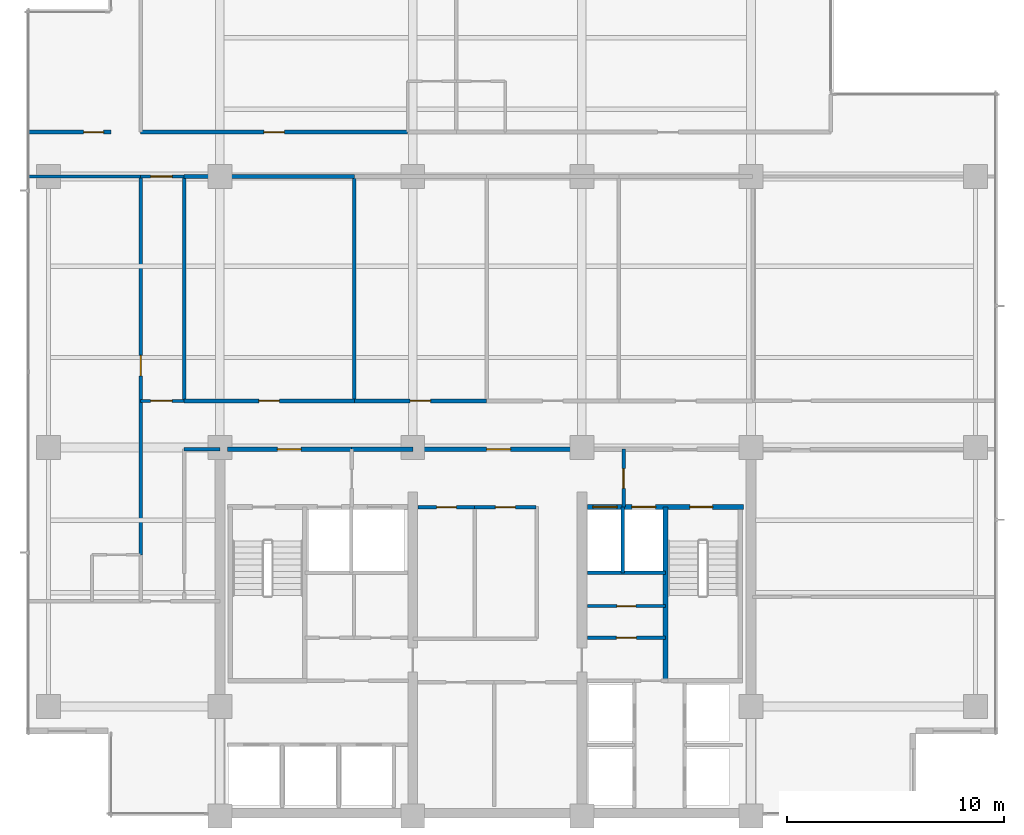
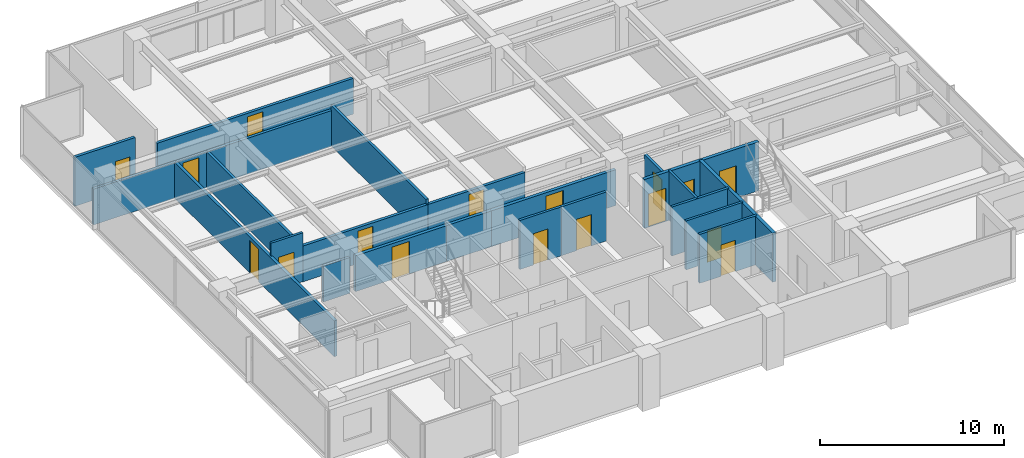
# One storey, part 8 of 14: 24 walls, 17 doors, 17 openings.
"""IFC4 building model written with IfcOpenShell, lengths in metres."""

from ifc_helpers import new_model, si_unit, direction, frame, frame_2d, origin, place, context, subcontext, project, spatial, rectangle, extrude, material, layer, layer_set, type_object, element, fill, save


model = new_model("IFC4")

# Units and contexts
model_context = context("Model", 3, precision=1e-05, world=origin(), true_north=direction((0.0, 1.0)))
body_context = subcontext(model_context, "Body", "Model", "MODEL_VIEW")
ifc_project = project(units=[si_unit("LENGTHUNIT", "METRE"), si_unit("AREAUNIT", "SQUARE_METRE"), si_unit("VOLUMEUNIT", "CUBIC_METRE"), si_unit("PLANEANGLEUNIT", "RADIAN"), si_unit("MASSUNIT", "GRAM", prefix="KILO")], contexts=[model_context])

# Site, building, storey
site_placement = place(None, origin())
site = spatial("IfcSite", under=ifc_project, at=site_placement, CompositionType="ELEMENT")
building_placement = place(site_placement, origin())
building = spatial("IfcBuilding", under=site, at=building_placement, Name="Qalmaran Belvedere Hotel", CompositionType="ELEMENT")
storey_placement = place(building_placement, frame((0.0, 0.0, 177.10009765625)))
storey = spatial("IfcBuildingStorey", under=building, at=storey_placement, Name="L45", CompositionType="ELEMENT", Elevation=177.10009765625)

# Wall
ifc_material_1 = material(Name="Gypsum Stud Partition")
ifc_layer_1 = layer(ifc_material_1, 0.14990234375, Name="Gypsum Stud Partition")
ifc_layer_set_1 = layer_set([ifc_layer_1], Name="Gypsum Stud Partition")
wall_type_1 = type_object("IfcWallType", Name="WL-INT-150-EI120", PredefinedType="PARTITIONING", material=ifc_layer_set_1)
wall_1_placement = place(storey_placement, frame((38.8798828125, 14.719970703125, 0.0), z_axis=(0.0, 0.0, 1.0), x_axis=(0.0, 1.0, 0.0)))
element("IfcWall", 1, at=wall_1_placement, inside=storey, type_object=wall_type_1, Name="L45 Partition WL-FF2M-L45", PredefinedType="PARTITIONING", context=body_context, shape_type="SweptSolid", body=[
    extrude(rectangle(XDim=3.0400390625, YDim=0.14990234375, at=frame_2d((1.52001953125, 0.0))), origin(), (0.0, 0.0, 1.0), 3.25),
])

# Wall, opening, door
ifc_layer_2 = layer(ifc_material_1, 0.14990234375, Name="Gypsum Stud Partition")
ifc_layer_set_2 = layer_set([ifc_layer_2], Name="Gypsum Stud Partition")
wall_type_2 = type_object("IfcWallType", Name="WL-INT-150-EI60", PredefinedType="PARTITIONING", material=ifc_layer_set_2)
wall_2_placement = place(storey_placement, frame((37.25, 13.18505859375, 0.0), z_axis=(0.0, 0.0, 1.0), x_axis=(1.0, 0.0, 0.0)))
wall_2 = element("IfcWall", 2, at=wall_2_placement, inside=storey, type_object=wall_type_2, Name="L45 Partition WL-L45-KEHM", PredefinedType="PARTITIONING", context=body_context, shape_type="SweptSolid", body=[
    extrude(rectangle(XDim=3.610107421875, YDim=0.14990234375, at=frame_2d((1.80517578125, 0.0))), origin(), (0.0, 0.0, 1.0), 3.25),
])
opening_1_placement = place(wall_2_placement, frame((1.364990234375, 0.0, 0.0)))
opening_1 = element("IfcOpeningElement", 3, at=opening_1_placement, cuts=wall_2, Name="Opening FD60B", PredefinedType="OPENING", context=body_context, shape_type="SweptSolid", body=[
    extrude(rectangle(XDim=0.8798828125, YDim=2.080078125, at=frame_2d((0.43994140625, 1.0400390625))), frame((0.0, 0.0849609375, 0.0), z_axis=(0.0, -1.0, 0.0), x_axis=(1.0, 0.0, 0.0)), (0.0, 0.0, 1.0), 0.169921875),
])
ifc_material_2 = material(Name="Steel S355JR", Category="steel")
door_type_1 = type_object("IfcDoorType", Name="DR-FD60B-880X2080", OperationType="NOTDEFINED", PredefinedType="DOOR", material=ifc_material_2)
door_1_placement = place(opening_1_placement, origin())
door_1 = element("IfcDoor", 4, at=door_1_placement, inside=storey, type_object=door_type_1, Name="L45 Hotel Linen Closet Door", OperationType="SINGLE_SWING_RIGHT", OverallHeight=2.080078125, OverallWidth=0.8798828125, PredefinedType="DOOR", context=body_context, shape_type="SweptSolid", body=[
    extrude(rectangle(XDim=0.8798828125, YDim=2.080078125, at=frame_2d((0.43994140625, 1.0400390625))), frame((0.0, 0.02490234375, 0.0), z_axis=(0.0, -1.0, 0.0), x_axis=(1.0, 0.0, 0.0)), (0.0, 0.0, 1.0), 0.050048828125),
])
fill(opening_1, door_1)

wall_3_placement = place(storey_placement, frame((16.64990234375, 22.64990234375, 0.0), z_axis=(0.0, 0.0, 1.0), x_axis=(1.0, 0.0, 0.0)))
wall_3 = element("IfcWall", 5, at=wall_3_placement, inside=storey, type_object=wall_type_2, Name="L45 Partition WL-L45-XCW1", PredefinedType="PARTITIONING", context=body_context, shape_type="SweptSolid", body=[
    extrude(rectangle(XDim=2.0, YDim=0.14990234375, at=frame_2d((1.0, 0.0))), origin(), (0.0, 0.0, 1.0), 3.25),
])
opening_2_placement = place(wall_3_placement, frame((0.449951171875, 0.0, 0.0)))
opening_2 = element("IfcOpeningElement", 6, at=opening_2_placement, cuts=wall_3, Name="Opening FD90B", PredefinedType="OPENING", context=body_context, shape_type="SweptSolid", body=[
    extrude(rectangle(XDim=1.0, YDim=2.14990234375, at=frame_2d((0.5, 1.074951171875))), frame((0.0, 0.0849609375, 0.0), z_axis=(0.0, -1.0, 0.0), x_axis=(1.0, 0.0, 0.0)), (0.0, 0.0, 1.0), 0.169921875),
])
door_type_2 = type_object("IfcDoorType", Name="DR-FD90B-1000X2150", OperationType="NOTDEFINED", PredefinedType="DOOR", material=ifc_material_2)
door_2_placement = place(opening_2_placement, origin())
door_2 = element("IfcDoor", 7, at=door_2_placement, inside=storey, type_object=door_type_2, Name="L45 West Corridor Smoke Door S", OperationType="SINGLE_SWING_RIGHT", OverallHeight=2.14990234375, OverallWidth=1.0, PredefinedType="DOOR", context=body_context, shape_type="SweptSolid", body=[
    extrude(rectangle(XDim=1.0, YDim=2.14990234375, at=frame_2d((0.5, 1.074951171875))), frame((0.0, 0.02490234375, 0.0), z_axis=(0.0, -1.0, 0.0), x_axis=(1.0, 0.0, 0.0)), (0.0, 0.0, 1.0), 0.050048828125),
])
fill(opening_2, door_2)

wall_4_placement = place(storey_placement, frame((16.64990234375, 33.0, 0.0), z_axis=(0.0, 0.0, 1.0), x_axis=(1.0, 0.0, 0.0)))
wall_4 = element("IfcWall", 8, at=wall_4_placement, inside=storey, type_object=wall_type_2, Name="L45 Partition WL-L45-XCW2", PredefinedType="PARTITIONING", context=body_context, shape_type="SweptSolid", body=[
    extrude(rectangle(XDim=2.0, YDim=0.14990234375, at=frame_2d((1.0, 0.0))), origin(), (0.0, 0.0, 1.0), 2.3798828125),
])
opening_3_placement = place(wall_4_placement, frame((0.449951171875, 0.0, 0.0)))
opening_3 = element("IfcOpeningElement", 9, at=opening_3_placement, cuts=wall_4, Name="Opening FD90B", PredefinedType="OPENING", context=body_context, shape_type="SweptSolid", body=[
    extrude(rectangle(XDim=1.0, YDim=2.14990234375, at=frame_2d((0.5, 1.074951171875))), frame((0.0, 0.0849609375, 0.0), z_axis=(0.0, -1.0, 0.0), x_axis=(1.0, 0.0, 0.0)), (0.0, 0.0, 1.0), 0.169921875),
])
door_3_placement = place(opening_3_placement, origin())
door_3 = element("IfcDoor", 10, at=door_3_placement, inside=storey, type_object=door_type_2, Name="L45 West Corridor Smoke Door N", OperationType="SINGLE_SWING_LEFT", OverallHeight=2.14990234375, OverallWidth=1.0, PredefinedType="DOOR", context=body_context, shape_type="SweptSolid", body=[
    extrude(rectangle(XDim=1.0, YDim=2.14990234375, at=frame_2d((0.5, 1.074951171875))), frame((0.0, 0.02490234375, 0.0), z_axis=(0.0, -1.0, 0.0), x_axis=(1.0, 0.0, 0.0)), (0.0, 0.0, 1.0), 0.050048828125),
])
fill(opening_3, door_3)

ifc_layer_3 = layer(ifc_material_1, 0.159912109375, Name="Gypsum Stud Partition")
ifc_layer_set_3 = layer_set([ifc_layer_3], Name="Gypsum Stud Partition")
wall_type_3 = type_object("IfcWallType", Name="WL-INT-160-EI120", PredefinedType="PARTITIONING", material=ifc_layer_set_3)
wall_5_placement = place(storey_placement, frame((38.919921875, 17.760009765625, 0.0), z_axis=(0.0, 0.0, 1.0), x_axis=(0.0, 1.0, 0.0)))
wall_5 = element("IfcWall", 11, at=wall_5_placement, inside=storey, type_object=wall_type_3, Name="L45 Partition WL-FFSV2-L45", PredefinedType="PARTITIONING", context=body_context, shape_type="SweptSolid", body=[
    extrude(rectangle(XDim=2.659912109375, YDim=0.159912109375, at=frame_2d((1.330078125, 0.0))), origin(), (0.0, 0.0, 1.0), 2.69189453125),
])
opening_4_placement = place(wall_5_placement, frame((1.77001953125, 0.0, 0.0), z_axis=(0.0, 0.0, 1.0), x_axis=(-1.0, 0.0, 0.0)))
opening_4 = element("IfcOpeningElement", 12, at=opening_4_placement, cuts=wall_5, Name="Opening FD60S1", PredefinedType="OPENING", context=body_context, shape_type="SweptSolid", body=[
    extrude(rectangle(XDim=0.919921875, YDim=2.080078125, at=frame_2d((0.4599609375, 1.0400390625))), frame((0.0, 0.08984375, 0.0), z_axis=(0.0, -1.0, 0.0), x_axis=(1.0, 0.0, 0.0)), (0.0, 0.0, 1.0), 0.179931640625),
])
ifc_material_3 = material(Name="Engineered Oak Veneer")
door_type_3 = type_object("IfcDoorType", Name="DR-FD60S-920X2080", OperationType="NOTDEFINED", PredefinedType="DOOR", material=ifc_material_3)
door_4_placement = place(opening_4_placement, origin())
door_4 = element("IfcDoor", 13, at=door_4_placement, inside=storey, type_object=door_type_3, Name="L45 Service Lobby East Door", OperationType="SINGLE_SWING_LEFT", OverallHeight=2.080078125, OverallWidth=0.919921875, PredefinedType="DOOR", context=body_context, shape_type="SweptSolid", body=[
    extrude(rectangle(XDim=0.919921875, YDim=2.080078125, at=frame_2d((0.4599609375, 1.0400390625))), frame((0.0, 0.02490234375, 0.0), z_axis=(0.0, -1.0, 0.0), x_axis=(1.0, 0.0, 0.0)), (0.0, 0.0, 1.0), 0.050048828125),
])
fill(opening_4, door_4)

# Wall
wall_6_placement = place(storey_placement, frame((37.25, 14.719970703125, 0.0), z_axis=(0.0, 0.0, 1.0), x_axis=(1.0, 0.0, 0.0)))
element("IfcWall", 14, at=wall_6_placement, inside=storey, type_object=wall_type_3, Name="L45 Partition WL-FF2S-L45", PredefinedType="PARTITIONING", context=body_context, shape_type="SweptSolid", body=[
    extrude(rectangle(XDim=3.610107421875, YDim=0.159912109375, at=frame_2d((1.80517578125, 0.0))), origin(), (0.0, 0.0, 1.0), 3.25),
])

# Wall, opening, door
ifc_layer_4 = layer(ifc_material_1, 0.159912109375, Name="Gypsum Stud Partition")
ifc_layer_set_4 = layer_set([ifc_layer_4], Name="Gypsum Stud Partition")
wall_type_4 = type_object("IfcWallType", Name="WL-INT-160-EI60", PredefinedType="PARTITIONING", material=ifc_layer_set_4)
wall_7_placement = place(storey_placement, frame((37.25, 11.719970703125, 0.0), z_axis=(0.0, 0.0, 1.0), x_axis=(1.0, 0.0, 0.0)))
wall_7 = element("IfcWall", 15, at=wall_7_placement, inside=storey, type_object=wall_type_4, Name="L45 Partition WL-L45-KEE1", PredefinedType="PARTITIONING", context=body_context, shape_type="SweptSolid", body=[
    extrude(rectangle(XDim=3.610107421875, YDim=0.159912109375, at=frame_2d((1.80517578125, 0.0))), origin(), (0.0, 0.0, 1.0), 3.25),
])
opening_5_placement = place(wall_7_placement, frame((1.344970703125, 0.0, 0.0)))
opening_5 = element("IfcOpeningElement", 16, at=opening_5_placement, cuts=wall_7, Name="Opening FD60S1", PredefinedType="OPENING", context=body_context, shape_type="SweptSolid", body=[
    extrude(rectangle(XDim=0.919921875, YDim=2.080078125, at=frame_2d((0.4599609375, 1.0400390625))), frame((0.0, 0.08984375, 0.0), z_axis=(0.0, -1.0, 0.0), x_axis=(1.0, 0.0, 0.0)), (0.0, 0.0, 1.0), 0.179931640625),
])
door_5_placement = place(opening_5_placement, origin())
door_5 = element("IfcDoor", 17, at=door_5_placement, inside=storey, type_object=door_type_3, Name="L45 Low Voltage Switch Room Door", OperationType="SINGLE_SWING_LEFT", OverallHeight=2.080078125, OverallWidth=0.919921875, PredefinedType="DOOR", context=body_context, shape_type="SweptSolid", body=[
    extrude(rectangle(XDim=0.919921875, YDim=2.080078125, at=frame_2d((0.4599609375, 1.0400390625))), frame((0.0, 0.02490234375, 0.0), z_axis=(0.0, -1.0, 0.0), x_axis=(1.0, 0.0, 0.0)), (0.0, 0.0, 1.0), 0.050048828125),
])
fill(opening_5, door_5)

wall_8_placement = place(storey_placement, frame((29.449951171875, 17.75, 0.0), z_axis=(0.0, 0.0, 1.0), x_axis=(1.0, 0.0, 0.0)))
wall_8 = element("IfcWall", 18, at=wall_8_placement, inside=storey, type_object=wall_type_4, Name="L45 Partition WL-L45-KPME1", PredefinedType="PARTITIONING", context=body_context, shape_type="SweptSolid", body=[
    extrude(rectangle(XDim=2.6064453125, YDim=0.159912109375, at=frame_2d((1.30322265625, 0.0))), origin(), (0.0, 0.0, 1.0), 3.25),
])
opening_6_placement = place(wall_8_placement, frame((1.76318359375, 0.0, 0.0), z_axis=(0.0, 0.0, 1.0), x_axis=(-1.0, 0.0, 0.0)))
opening_6 = element("IfcOpeningElement", 19, at=opening_6_placement, cuts=wall_8, Name="Opening FD60S1", PredefinedType="OPENING", context=body_context, shape_type="SweptSolid", body=[
    extrude(rectangle(XDim=0.919921875, YDim=2.080078125, at=frame_2d((0.4599609375, 1.0400390625))), frame((0.0, 0.08984375, 0.0), z_axis=(0.0, -1.0, 0.0), x_axis=(1.0, 0.0, 0.0)), (0.0, 0.0, 1.0), 0.179931640625),
])
door_6_placement = place(opening_6_placement, origin())
door_6 = element("IfcDoor", 20, at=door_6_placement, inside=storey, type_object=door_type_3, Name="L45 Floor Linen Supply Store Door", OperationType="SINGLE_SWING_LEFT", OverallHeight=2.080078125, OverallWidth=0.919921875, PredefinedType="DOOR", context=body_context, shape_type="SweptSolid", body=[
    extrude(rectangle(XDim=0.919921875, YDim=2.080078125, at=frame_2d((0.4599609375, 1.0400390625))), frame((0.0, 0.02490234375, 0.0), z_axis=(0.0, -1.0, 0.0), x_axis=(1.0, 0.0, 0.0)), (0.0, 0.0, 1.0), 0.050048828125),
])
fill(opening_6, door_6)

wall_9_placement = place(storey_placement, frame((32.056396484375, 17.75, 0.0), z_axis=(0.0, 0.0, 1.0), x_axis=(1.0, 0.0, 0.0)))
wall_9 = element("IfcWall", 21, at=wall_9_placement, inside=storey, type_object=wall_type_4, Name="L45 Partition WL-L45-KPME2", PredefinedType="PARTITIONING", context=body_context, shape_type="SweptSolid", body=[
    extrude(rectangle(XDim=2.823486328125, YDim=0.159912109375, at=frame_2d((1.41162109375, 0.0))), origin(), (0.0, 0.0, 1.0), 3.25),
])
opening_7_placement = place(wall_9_placement, frame((1.871826171875, 0.0, 0.0), z_axis=(0.0, 0.0, 1.0), x_axis=(-1.0, 0.0, 0.0)))
opening_7 = element("IfcOpeningElement", 22, at=opening_7_placement, cuts=wall_9, Name="Opening FD60S1", PredefinedType="OPENING", context=body_context, shape_type="SweptSolid", body=[
    extrude(rectangle(XDim=0.919921875, YDim=2.080078125, at=frame_2d((0.4599609375, 1.0400390625))), frame((0.0, 0.08984375, 0.0), z_axis=(0.0, -1.0, 0.0), x_axis=(1.0, 0.0, 0.0)), (0.0, 0.0, 1.0), 0.179931640625),
])
door_7_placement = place(opening_7_placement, origin())
door_7 = element("IfcDoor", 23, at=door_7_placement, inside=storey, type_object=door_type_3, Name="L45 Core Tableware Store Door", OperationType="SINGLE_SWING_RIGHT", OverallHeight=2.080078125, OverallWidth=0.919921875, PredefinedType="DOOR", context=body_context, shape_type="SweptSolid", body=[
    extrude(rectangle(XDim=0.919921875, YDim=2.080078125, at=frame_2d((0.4599609375, 1.0400390625))), frame((0.0, 0.02490234375, 0.0), z_axis=(0.0, -1.0, 0.0), x_axis=(1.0, 0.0, 0.0)), (0.0, 0.0, 1.0), 0.050048828125),
])
fill(opening_7, door_7)

# Walls
wall_10_placement = place(storey_placement, frame((18.64990234375, 20.419921875, 0.0), z_axis=(0.0, 0.0, 1.0), x_axis=(1.0, 0.0, 0.0)))
element("IfcWall", 24, at=wall_10_placement, inside=storey, type_object=wall_type_4, Name="L45 Partition WL-L45-WCLN", PredefinedType="PARTITIONING", context=body_context, shape_type="SweptSolid", body=[
    extrude(rectangle(XDim=1.650146484375, YDim=0.159912109375, at=frame_2d((0.8251953125, 0.0))), origin(), (0.0, 0.0, 1.0), 2.3798828125),
])
wall_11_placement = place(storey_placement, frame((18.64990234375, 22.64990234375, 0.0), z_axis=(0.0, 0.0, 1.0), x_axis=(0.0, 1.0, 0.0)))
element("IfcWall", 25, at=wall_11_placement, inside=storey, type_object=wall_type_4, Name="L45 Partition WL-L45-MIDVL", PredefinedType="PARTITIONING", context=body_context, shape_type="SweptSolid", body=[
    extrude(rectangle(XDim=10.35009765625, YDim=0.159912109375, at=frame_2d((5.175048828125, 0.0))), origin(), (0.0, 0.0, 1.0), 2.3798828125),
])
wall_12_placement = place(storey_placement, frame((26.5, 22.64990234375, 0.0), z_axis=(0.0, 0.0, 1.0), x_axis=(0.0, 1.0, 0.0)))
element("IfcWall", 26, at=wall_12_placement, inside=storey, type_object=wall_type_4, Name="L45 Partition WL-L45-MIDVR1", PredefinedType="PARTITIONING", context=body_context, shape_type="SweptSolid", body=[
    extrude(rectangle(XDim=10.35009765625, YDim=0.159912109375, at=frame_2d((5.175048828125, 0.0))), origin(), (0.0, 0.0, 1.0), 2.69189453125),
])
wall_13_placement = place(storey_placement, frame((11.469970703125, 33.0, 0.0), z_axis=(0.0, 0.0, 1.0), x_axis=(1.0, 0.0, 0.0)))
element("IfcWall", 27, at=wall_13_placement, inside=storey, type_object=wall_type_4, Name="L45 Partition WL-L45-WU00", PredefinedType="PARTITIONING", context=body_context, shape_type="SweptSolid", body=[
    extrude(rectangle(XDim=5.179931640625, YDim=0.159912109375, at=frame_2d((2.58984375, 0.0))), origin(), (0.0, 0.0, 1.0), 2.3798828125),
])

# Wall, opening, door
ifc_layer_5 = layer(ifc_material_1, 0.179931640625, Name="Gypsum Stud Partition")
ifc_layer_set_5 = layer_set([ifc_layer_5], Name="Gypsum Stud Partition")
wall_type_5 = type_object("IfcWallType", Name="WL-INT-180-EI60", PredefinedType="PARTITIONING", material=ifc_layer_set_5)
wall_14_placement = place(storey_placement, frame((18.64990234375, 22.64990234375, 0.0), z_axis=(0.0, 0.0, 1.0), x_axis=(1.0, 0.0, 0.0)))
wall_14 = element("IfcWall", 28, at=wall_14_placement, inside=storey, type_object=wall_type_5, Name="L45 Partition WL-L45-MIDD1", PredefinedType="PARTITIONING", context=body_context, shape_type="SweptSolid", body=[
    extrude(rectangle(XDim=7.85009765625, YDim=0.179931640625, at=frame_2d((3.925048828125, 0.0))), origin(), (0.0, 0.0, 1.0), 2.3798828125),
])
opening_8_placement = place(wall_14_placement, frame((3.449951171875, 0.0, 0.0)))
opening_8 = element("IfcOpeningElement", 29, at=opening_8_placement, cuts=wall_14, Name="Opening FD60", PredefinedType="OPENING", context=body_context, shape_type="SweptSolid", body=[
    extrude(rectangle(XDim=0.949951171875, YDim=2.14990234375, at=frame_2d((0.47509765625, 1.074951171875))), frame((0.0, 0.10009765625, 0.0), z_axis=(0.0, -1.0, 0.0), x_axis=(1.0, 0.0, 0.0)), (0.0, 0.0, 1.0), 0.199951171875),
])
door_type_4 = type_object("IfcDoorType", Name="DR-FD60-950X2150", OperationType="NOTDEFINED", PredefinedType="DOOR", material=ifc_material_3)
door_8_placement = place(opening_8_placement, origin())
door_8 = element("IfcDoor", 30, at=door_8_placement, inside=storey, type_object=door_type_4, Name="L45 Housekeeping and Linen Room Door", OperationType="SINGLE_SWING_RIGHT", OverallHeight=2.14990234375, OverallWidth=0.949951171875, PredefinedType="DOOR", context=body_context, shape_type="SweptSolid", body=[
    extrude(rectangle(XDim=0.949951171875, YDim=2.14990234375, at=frame_2d((0.47509765625, 1.074951171875))), frame((0.0, 0.02490234375, 0.0), z_axis=(0.0, -1.0, 0.0), x_axis=(1.0, 0.0, 0.0)), (0.0, 0.0, 1.0), 0.050048828125),
])
fill(opening_8, door_8)

# Wall
wall_15_placement = place(storey_placement, frame((18.64990234375, 33.0, 0.0), z_axis=(0.0, 0.0, 1.0), x_axis=(1.0, 0.0, 0.0)))
element("IfcWall", 31, at=wall_15_placement, inside=storey, type_object=wall_type_5, Name="L45 Partition WL-L45-MIDO1", PredefinedType="PARTITIONING", context=body_context, shape_type="SweptSolid", body=[
    extrude(rectangle(XDim=7.85009765625, YDim=0.179931640625, at=frame_2d((3.925048828125, 0.0))), origin(), (0.0, 0.0, 1.0), 2.3798828125),
])

# Wall, opening, door
wall_16_placement = place(storey_placement, frame((26.5, 22.64990234375, 0.0), z_axis=(0.0, 0.0, 1.0), x_axis=(1.0, 0.0, 0.0)))
wall_16 = element("IfcWall", 32, at=wall_16_placement, inside=storey, type_object=wall_type_5, Name="L45 Partition WL-L45-MIDD2", PredefinedType="PARTITIONING", context=body_context, shape_type="SweptSolid", body=[
    extrude(rectangle(XDim=6.10009765625, YDim=0.179931640625, at=frame_2d((3.050048828125, 0.0))), origin(), (0.0, 0.0, 1.0), 2.3798828125),
])
opening_9_placement = place(wall_16_placement, frame((2.574951171875, 0.0, 0.0)))
opening_9 = element("IfcOpeningElement", 33, at=opening_9_placement, cuts=wall_16, Name="Opening FD60", PredefinedType="OPENING", context=body_context, shape_type="SweptSolid", body=[
    extrude(rectangle(XDim=0.949951171875, YDim=2.14990234375, at=frame_2d((0.47509765625, 1.074951171875))), frame((0.0, 0.10009765625, 0.0), z_axis=(0.0, -1.0, 0.0), x_axis=(1.0, 0.0, 0.0)), (0.0, 0.0, 1.0), 0.199951171875),
])
door_9_placement = place(opening_9_placement, origin())
door_9 = element("IfcDoor", 34, at=door_9_placement, inside=storey, type_object=door_type_4, Name="L45 Wellness Spa Door", OperationType="SINGLE_SWING_LEFT", OverallHeight=2.14990234375, OverallWidth=0.949951171875, PredefinedType="DOOR", context=body_context, shape_type="SweptSolid", body=[
    extrude(rectangle(XDim=0.949951171875, YDim=2.14990234375, at=frame_2d((0.47509765625, 1.074951171875))), frame((0.0, 0.02490234375, 0.0), z_axis=(0.0, -1.0, 0.0), x_axis=(1.0, 0.0, 0.0)), (0.0, 0.0, 1.0), 0.050048828125),
])
fill(opening_9, door_9)

wall_17_placement = place(storey_placement, frame((16.64990234375, 35.050048828125, 0.0), z_axis=(0.0, 0.0, 1.0), x_axis=(1.0, 0.0, 0.0)))
wall_17 = element("IfcWall", 35, at=wall_17_placement, inside=storey, type_object=wall_type_5, Name="L45 Partition WL-L45-NEC00", PredefinedType="PARTITIONING", context=body_context, shape_type="SweptSolid", body=[
    extrude(rectangle(XDim=12.310791015625, YDim=0.179931640625, at=frame_2d((6.1552734375, 0.0))), origin(), (0.0, 0.0, 1.0), 2.3798828125),
])
opening_10_placement = place(wall_17_placement, frame((5.680419921875, 0.0, 0.0)))
opening_10 = element("IfcOpeningElement", 36, at=opening_10_placement, cuts=wall_17, Name="Opening FD60", PredefinedType="OPENING", context=body_context, shape_type="SweptSolid", body=[
    extrude(rectangle(XDim=0.949951171875, YDim=2.14990234375, at=frame_2d((0.47509765625, 1.074951171875))), frame((0.0, 0.10009765625, 0.0), z_axis=(0.0, -1.0, 0.0), x_axis=(1.0, 0.0, 0.0)), (0.0, 0.0, 1.0), 0.199951171875),
])
door_10_placement = place(opening_10_placement, origin())
door_10 = element("IfcDoor", 37, at=door_10_placement, inside=storey, type_object=door_type_4, Name="L45 Guest Entrance Door N01", OperationType="SINGLE_SWING_LEFT", OverallHeight=2.14990234375, OverallWidth=0.949951171875, PredefinedType="DOOR", context=body_context, shape_type="SweptSolid", body=[
    extrude(rectangle(XDim=0.949951171875, YDim=2.14990234375, at=frame_2d((0.47509765625, 1.074951171875))), frame((0.0, 0.02490234375, 0.0), z_axis=(0.0, -1.0, 0.0), x_axis=(1.0, 0.0, 0.0)), (0.0, 0.0, 1.0), 0.050048828125),
])
fill(opening_10, door_10)

wall_18_placement = place(storey_placement, frame((16.64990234375, 15.550048828125, 0.0), z_axis=(0.0, 0.0, 1.0), x_axis=(0.0, 1.0, 0.0)))
wall_18 = element("IfcWall", 38, at=wall_18_placement, inside=storey, type_object=wall_type_5, Name="L45 Partition WL-L45-WEC00", PredefinedType="PARTITIONING", context=body_context, shape_type="SweptSolid", body=[
    extrude(rectangle(XDim=17.449951171875, YDim=0.179931640625, at=frame_2d((8.72509765625, 0.0))), origin(), (0.0, 0.0, 1.0), 2.3798828125),
])
opening_11_placement = place(wall_18_placement, frame((8.25, 0.0, 0.0)))
opening_11 = element("IfcOpeningElement", 39, at=opening_11_placement, cuts=wall_18, Name="Opening FD60", PredefinedType="OPENING", context=body_context, shape_type="SweptSolid", body=[
    extrude(rectangle(XDim=0.949951171875, YDim=2.14990234375, at=frame_2d((0.47509765625, 1.074951171875))), frame((0.0, 0.10009765625, 0.0), z_axis=(0.0, -1.0, 0.0), x_axis=(1.0, 0.0, 0.0)), (0.0, 0.0, 1.0), 0.199951171875),
])
door_11_placement = place(opening_11_placement, origin())
door_11 = element("IfcDoor", 40, at=door_11_placement, inside=storey, type_object=door_type_4, Name="L45 W Wing Door 01", OperationType="SINGLE_SWING_LEFT", OverallHeight=2.14990234375, OverallWidth=0.949951171875, PredefinedType="DOOR", context=body_context, shape_type="SweptSolid", body=[
    extrude(rectangle(XDim=0.949951171875, YDim=2.14990234375, at=frame_2d((0.47509765625, 1.074951171875))), frame((0.0, 0.02490234375, 0.0), z_axis=(0.0, -1.0, 0.0), x_axis=(1.0, 0.0, 0.0)), (0.0, 0.0, 1.0), 0.050048828125),
])
fill(opening_11, door_11)

wall_19_placement = place(storey_placement, frame((11.469970703125, 35.050048828125, 0.0), z_axis=(0.0, 0.0, 1.0), x_axis=(1.0, 0.0, 0.0)))
wall_19 = element("IfcWall", 41, at=wall_19_placement, inside=storey, type_object=wall_type_5, Name="L45 Partition WL-L45-NWSD", PredefinedType="PARTITIONING", context=body_context, shape_type="SweptSolid", body=[
    extrude(rectangle(XDim=3.800048828125, YDim=0.179931640625, at=frame_2d((1.89990234375, 0.0))), origin(), (0.0, 0.0, 1.0), 3.25),
])
opening_12_placement = place(wall_19_placement, frame((2.543701171875, 0.0, 0.0)))
opening_12 = element("IfcOpeningElement", 42, at=opening_12_placement, cuts=wall_19, Name="Opening FD60S1", PredefinedType="OPENING", context=body_context, shape_type="SweptSolid", body=[
    extrude(rectangle(XDim=0.919921875, YDim=2.080078125, at=frame_2d((0.4599609375, 1.0400390625))), frame((0.0, 0.10009765625, 0.0), z_axis=(0.0, -1.0, 0.0), x_axis=(1.0, 0.0, 0.0)), (0.0, 0.0, 1.0), 0.199951171875),
])
door_12_placement = place(opening_12_placement, origin())
door_12 = element("IfcDoor", 43, at=door_12_placement, inside=storey, type_object=door_type_3, Name="L45 NW Belvedere Study Door", OperationType="SINGLE_SWING_RIGHT", OverallHeight=2.080078125, OverallWidth=0.919921875, PredefinedType="DOOR", context=body_context, shape_type="SweptSolid", body=[
    extrude(rectangle(XDim=0.919921875, YDim=2.080078125, at=frame_2d((0.4599609375, 1.0400390625))), frame((0.0, 0.02490234375, 0.0), z_axis=(0.0, -1.0, 0.0), x_axis=(1.0, 0.0, 0.0)), (0.0, 0.0, 1.0), 0.050048828125),
])
fill(opening_12, door_12)

ifc_material_4 = material(Name="Concrete C30/37 Blockwork", Category="masonry")
ifc_layer_6 = layer(ifc_material_4, 0.199951171875, Name="Concrete C30/37 Blockwork")
ifc_layer_set_6 = layer_set([ifc_layer_6], Name="Concrete C30/37 Blockwork")
wall_type_6 = type_object("IfcWallType", Name="WL-INT-200-EI120", PredefinedType="PARTITIONING", material=ifc_layer_set_6)
wall_20_placement = place(storey_placement, frame((20.64990234375, 20.419921875, 0.0), z_axis=(0.0, 0.0, 1.0), x_axis=(1.0, 0.0, 0.0)))
wall_20 = element("IfcWall", 44, at=wall_20_placement, inside=storey, type_object=wall_type_6, Name="L45 Partition WL-CN1A-L45", PredefinedType="PARTITIONING", context=body_context, shape_type="SweptSolid", body=[
    extrude(rectangle(XDim=5.72998046875, YDim=0.199951171875, at=frame_2d((2.864990234375, 0.0))), origin(), (0.0, 0.0, 1.0), 2.3798828125),
])
opening_13_placement = place(wall_20_placement, frame((2.300048828125, 0.0, 0.0)))
opening_13 = element("IfcOpeningElement", 45, at=opening_13_placement, cuts=wall_20, Name="Opening FD90", PredefinedType="OPENING", context=body_context, shape_type="SweptSolid", body=[
    extrude(rectangle(XDim=1.10009765625, YDim=2.14990234375, at=frame_2d((0.550048828125, 1.074951171875))), frame((0.0, 0.10986328125, 0.0), z_axis=(0.0, -1.0, 0.0), x_axis=(1.0, 0.0, 0.0)), (0.0, 0.0, 1.0), 0.219970703125),
])
door_type_5 = type_object("IfcDoorType", Name="DR-FD90-1100X2150", OperationType="NOTDEFINED", PredefinedType="DOOR", material=ifc_material_2)
door_13_placement = place(opening_13_placement, origin())
door_13 = element("IfcDoor", 46, at=door_13_placement, inside=storey, type_object=door_type_5, Name="L45 FF1 Lobby Corridor Door", OperationType="SINGLE_SWING_RIGHT", OverallHeight=2.14990234375, OverallWidth=1.10009765625, PredefinedType="DOOR", context=body_context, shape_type="SweptSolid", body=[
    extrude(rectangle(XDim=1.10009765625, YDim=2.14990234375, at=frame_2d((0.550048828125, 1.074951171875))), frame((0.0, 0.02490234375, 0.0), z_axis=(0.0, -1.0, 0.0), x_axis=(1.0, 0.0, 0.0)), (0.0, 0.0, 1.0), 0.050048828125),
])
fill(opening_13, door_13)

# Wall
wall_21_placement = place(storey_placement, frame((26.3798828125, 20.419921875, 0.0), z_axis=(0.0, 0.0, 1.0), x_axis=(1.0, 0.0, 0.0)))
element("IfcWall", 47, at=wall_21_placement, inside=storey, type_object=wall_type_6, Name="L45 Partition WL-CN1B-L45", PredefinedType="PARTITIONING", context=body_context, shape_type="SweptSolid", body=[
    extrude(rectangle(XDim=2.820068359375, YDim=0.199951171875, at=frame_2d((1.41015625, 0.0))), origin(), (0.0, 0.0, 1.0), 2.3798828125),
])

# Wall, opening, door
wall_22_placement = place(storey_placement, frame((29.199951171875, 20.419921875, 0.0), z_axis=(0.0, 0.0, 1.0), x_axis=(1.0, 0.0, 0.0)))
wall_22 = element("IfcWall", 48, at=wall_22_placement, inside=storey, type_object=wall_type_6, Name="L45 Partition WL-CN2-L45", PredefinedType="PARTITIONING", context=body_context, shape_type="SweptSolid", body=[
    extrude(rectangle(XDim=7.800048828125, YDim=0.199951171875, at=frame_2d((3.89990234375, 0.0))), origin(), (0.0, 0.0, 1.0), 2.3798828125),
])
opening_14_placement = place(wall_22_placement, frame((3.4091796875, 0.0, 0.0)))
opening_14 = element("IfcOpeningElement", 49, at=opening_14_placement, cuts=wall_22, Name="Opening FD90", PredefinedType="OPENING", context=body_context, shape_type="SweptSolid", body=[
    extrude(rectangle(XDim=1.10009765625, YDim=2.14990234375, at=frame_2d((0.550048828125, 1.074951171875))), frame((0.0, 0.10986328125, 0.0), z_axis=(0.0, -1.0, 0.0), x_axis=(1.0, 0.0, 0.0)), (0.0, 0.0, 1.0), 0.219970703125),
])
door_14_placement = place(opening_14_placement, origin())
door_14 = element("IfcDoor", 50, at=door_14_placement, inside=storey, type_object=door_type_5, Name="L45 Central Lift Lobby Door", OperationType="SINGLE_SWING_LEFT", OverallHeight=2.14990234375, OverallWidth=1.10009765625, PredefinedType="DOOR", context=body_context, shape_type="SweptSolid", body=[
    extrude(rectangle(XDim=1.10009765625, YDim=2.14990234375, at=frame_2d((0.550048828125, 1.074951171875))), frame((0.0, 0.02490234375, 0.0), z_axis=(0.0, -1.0, 0.0), x_axis=(1.0, 0.0, 0.0)), (0.0, 0.0, 1.0), 0.050048828125),
])
fill(opening_14, door_14)

# Wall
ifc_material_5 = material(Name="Concrete C50/60", Category="concrete")
ifc_layer_7 = layer(ifc_material_5, 0.2099609375, Name="Concrete C50/60")
ifc_layer_set_7 = layer_set([ifc_layer_7], Name="Concrete C50/60")
wall_type_7 = type_object("IfcWallType", Name="WL-STAIR-210-C50", PredefinedType="SHEAR", material=ifc_layer_set_7)
wall_23_placement = place(storey_placement, frame((40.85498046875, 9.7451171875, 0.0), z_axis=(0.0, 0.0, 1.0), x_axis=(0.0, 1.0, 0.0)))
element("IfcWall", 51, at=wall_23_placement, inside=storey, type_object=wall_type_7, Name="L45 Stair ST-2 West Bearing Wall", PredefinedType="SHEAR", context=body_context, shape_type="SweptSolid", body=[
    extrude(rectangle(XDim=8.009765625, YDim=0.2099609375, at=frame_2d((4.0048828125, 0.0))), origin(), (0.0, 0.0, 1.0), 3.25),
])

# Wall, openings, doors
wall_24_placement = place(storey_placement, frame((37.25, 17.7548828125, 0.0), z_axis=(0.0, 0.0, 1.0), x_axis=(1.0, 0.0, 0.0)))
wall_24 = element("IfcWall", 52, at=wall_24_placement, inside=storey, type_object=wall_type_7, Name="L45 East Lobby and Stair ST-2 North Bearing Wall", PredefinedType="SHEAR", context=body_context, shape_type="SweptSolid", body=[
    extrude(rectangle(XDim=7.199951171875, YDim=0.2099609375, at=frame_2d((3.60009765625, 0.0))), origin(), (0.0, 0.0, 1.0), 3.25),
])
opening_15_placement = place(wall_24_placement, frame((0.25, 0.0, 0.0)))
opening_15 = element("IfcOpeningElement", 53, at=opening_15_placement, cuts=wall_24, Name="Opening LD-SV", PredefinedType="OPENING", context=body_context, shape_type="SweptSolid", body=[
    extrude(rectangle(XDim=1.1201171875, YDim=2.199951171875, at=frame_2d((0.56005859375, 1.10009765625))), frame((0.0, 0.114990234375, 0.0), z_axis=(0.0, -1.0, 0.0), x_axis=(1.0, 0.0, 0.0)), (0.0, 0.0, 1.0), 0.22998046875),
])
opening_16_placement = place(wall_24_placement, frame((2.050048828125, 0.0, 0.0)))
opening_16 = element("IfcOpeningElement", 54, at=opening_16_placement, cuts=wall_24, Name="Opening LD-FF", PredefinedType="OPENING", context=body_context, shape_type="SweptSolid", body=[
    extrude(rectangle(XDim=1.10009765625, YDim=2.179931640625, at=frame_2d((0.550048828125, 1.08984375))), frame((0.0, 0.114990234375, 0.0), z_axis=(0.0, -1.0, 0.0), x_axis=(1.0, 0.0, 0.0)), (0.0, 0.0, 1.0), 0.22998046875),
])
opening_17_placement = place(wall_24_placement, frame((5.780029296875, 0.0, 0.0), z_axis=(0.0, 0.0, 1.0), x_axis=(-1.0, 0.0, 0.0)))
opening_17 = element("IfcOpeningElement", 55, at=opening_17_placement, cuts=wall_24, Name="Opening FD90S2", PredefinedType="OPENING", context=body_context, shape_type="SweptSolid", body=[
    extrude(rectangle(XDim=1.050048828125, YDim=2.14990234375, at=frame_2d((0.52490234375, 1.074951171875))), frame((0.0, 0.114990234375, 0.0), z_axis=(0.0, -1.0, 0.0), x_axis=(1.0, 0.0, 0.0)), (0.0, 0.0, 1.0), 0.22998046875),
])
door_type_6 = type_object("IfcDoorType", Name="DR-FD90S-1050X2150", OperationType="NOTDEFINED", PredefinedType="DOOR", material=ifc_material_2)
door_15_placement = place(opening_17_placement, origin())
door_15 = element("IfcDoor", 56, at=door_15_placement, inside=storey, type_object=door_type_6, Name="L45 Stair ST-2 Door", OperationType="SINGLE_SWING_LEFT", OverallHeight=2.14990234375, OverallWidth=1.050048828125, PredefinedType="DOOR", context=body_context, shape_type="SweptSolid", body=[
    extrude(rectangle(XDim=1.050048828125, YDim=2.14990234375, at=frame_2d((0.52490234375, 1.074951171875))), frame((0.0, 0.02490234375, 0.0), z_axis=(0.0, -1.0, 0.0), x_axis=(1.0, 0.0, 0.0)), (0.0, 0.0, 1.0), 0.050048828125),
])
fill(opening_17, door_15)
ifc_material_6 = material(Name="Stainless Steel 1.4401", Category="steel")
door_type_7 = type_object("IfcDoorType", Name="DR-LIFT-FF-1100X2180", OperationType="DOUBLE_DOOR_SLIDING", PredefinedType="DOOR", material=ifc_material_6)
door_16_placement = place(opening_16_placement, origin())
door_16 = element("IfcDoor", 57, at=door_16_placement, inside=storey, type_object=door_type_7, Name="L45 FF2 Lift Landing Door", OperationType="DOUBLE_DOOR_SLIDING", OverallHeight=2.179931640625, OverallWidth=1.10009765625, PredefinedType="DOOR", context=body_context, shape_type="SweptSolid", body=[
    extrude(rectangle(XDim=1.10009765625, YDim=2.179931640625, at=frame_2d((0.550048828125, 1.08984375))), frame((0.0, 0.02490234375, 0.0), z_axis=(0.0, -1.0, 0.0), x_axis=(1.0, 0.0, 0.0)), (0.0, 0.0, 1.0), 0.050048828125),
])
fill(opening_16, door_16)
door_type_8 = type_object("IfcDoorType", Name="DR-LIFT-SV-1120X2200", OperationType="DOUBLE_DOOR_SLIDING", PredefinedType="DOOR", material=ifc_material_6)
door_17_placement = place(opening_15_placement, origin())
door_17 = element("IfcDoor", 58, at=door_17_placement, inside=storey, type_object=door_type_8, Name="L45 SV2 Lift Landing Door", OperationType="DOUBLE_DOOR_SLIDING", OverallHeight=2.199951171875, OverallWidth=1.1201171875, PredefinedType="DOOR", context=body_context, shape_type="SweptSolid", body=[
    extrude(rectangle(XDim=1.1201171875, YDim=2.199951171875, at=frame_2d((0.56005859375, 1.10009765625))), frame((0.0, 0.02490234375, 0.0), z_axis=(0.0, -1.0, 0.0), x_axis=(1.0, 0.0, 0.0)), (0.0, 0.0, 1.0), 0.050048828125),
])
fill(opening_15, door_17)

save(model, "model.ifc")
